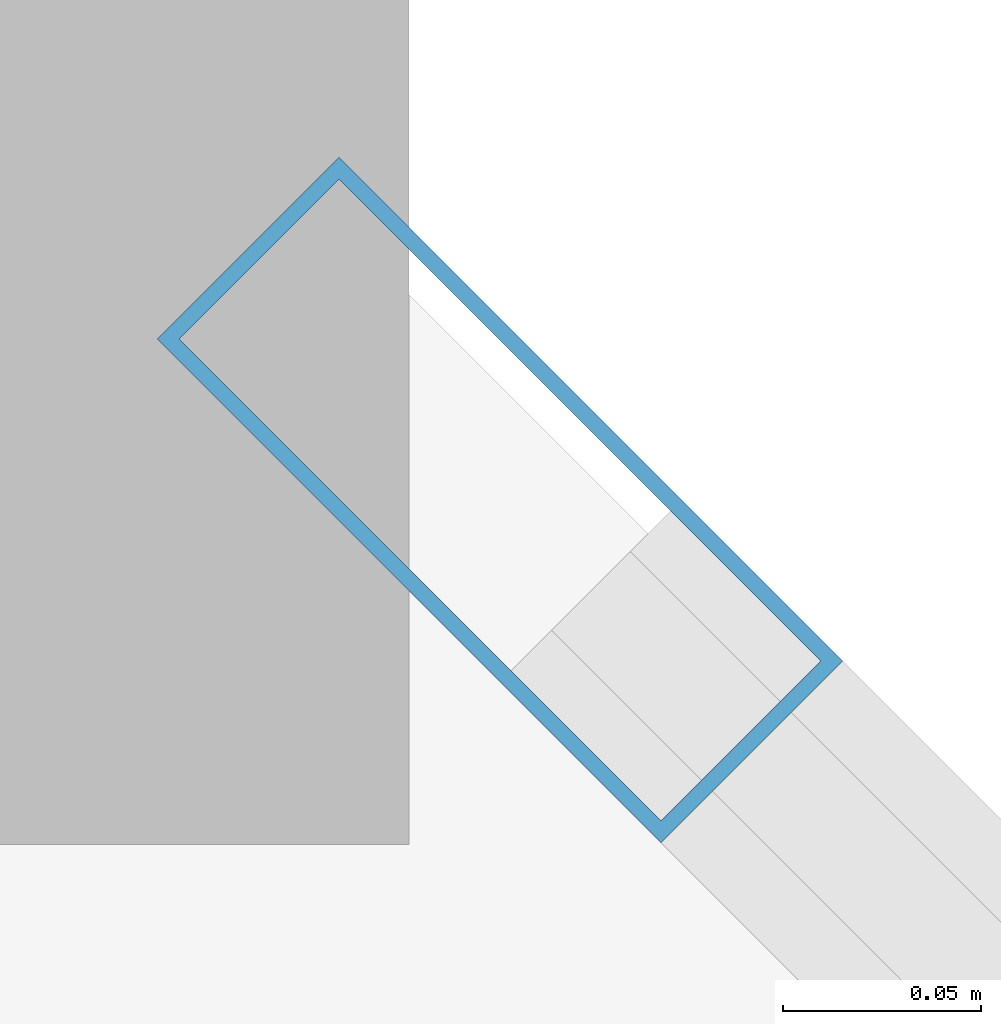
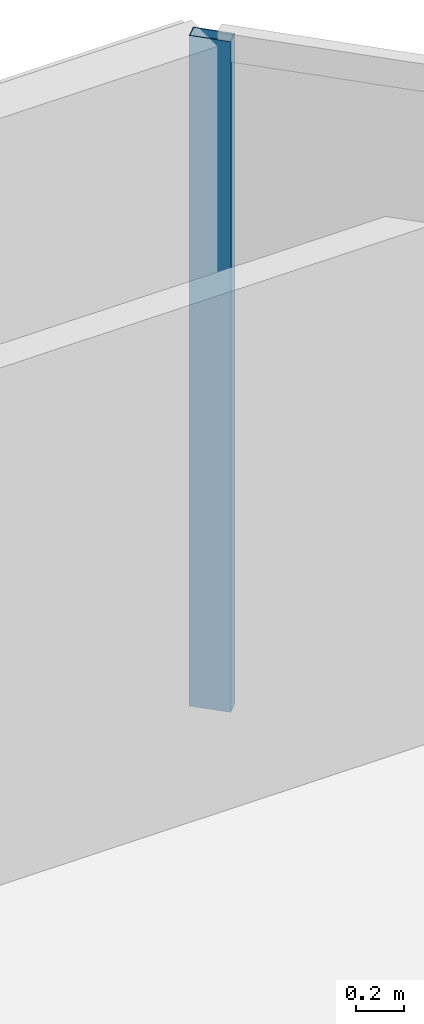
# One storey, part 21 of 28: 1 member, 1 element without a shape of its own.
"""IFC4 building model written with IfcOpenShell, lengths in metres."""

from ifc_helpers import new_model, si_unit, direction, frame, origin, origin_2d, place, context, subcontext, project, spatial, hollow_rectangle, extrude, material, layer, layer_set, material_profile, profile_set, type_object, element, aggregate, save


model = new_model("IFC4")

# Units and contexts
model_context = context("Model", 3, precision=1e-05, world=origin(), true_north=direction((0.0, 1.0)))
body_context = subcontext(model_context, "Body", "Model", "MODEL_VIEW")
ifc_project = project(units=[si_unit("LENGTHUNIT", "METRE"), si_unit("AREAUNIT", "SQUARE_METRE"), si_unit("VOLUMEUNIT", "CUBIC_METRE"), si_unit("PLANEANGLEUNIT", "RADIAN"), si_unit("MASSUNIT", "GRAM", prefix="KILO")], contexts=[model_context])

# Site, building, storey
site_placement = place(None, origin())
site = spatial("IfcSite", under=ifc_project, at=site_placement, CompositionType="ELEMENT")
building_placement = place(site_placement, origin())
building = spatial("IfcBuilding", under=site, at=building_placement, Name="Tanjung Sevakor Pilgrim Tower", CompositionType="ELEMENT")
storey_placement = place(building_placement, frame((0.0, 0.0, 257.070068359375)))
storey = spatial("IfcBuildingStorey", under=building, at=storey_placement, Name="L72", CompositionType="ELEMENT", Elevation=257.070068359375)

# Curtain wall, member
ifc_material_1 = material(Name="Aluminium 6063-T6 and Low-E Glass", Category="aluminium")
ifc_layer = layer(ifc_material_1, 0.179931640625)
ifc_layer_set = layer_set([ifc_layer], Name="CW-SYS-CHAM")
curtain_wall_type = type_object("IfcCurtainWallType", Name="CW-SYS-CHAM", PredefinedType="NOTDEFINED", material=ifc_layer_set)
curtain_wall_placement = place(storey_placement, origin())
curtain_wall = element("IfcCurtainWall", 1, at=curtain_wall_placement, inside=storey, type_object=curtain_wall_type, Name="L72 Curtain Wall CW-CHM-L72-EAST-3", PredefinedType="NOTDEFINED")
ifc_material_2 = material(Name="Aluminium 6063-T6", Category="aluminium")
ifc_material_profile = material_profile(ifc_material_2, hollow_rectangle(XDim=0.06494140625, YDim=0.179931640625, WallThickness=0.00390625, at=origin_2d()))
ifc_profile_set = profile_set([ifc_material_profile], Name="Aluminium 6063-T6")
member_type = type_object("IfcMemberType", Name="TYPE-CWM-1", PredefinedType="MULLION", material=ifc_profile_set)
member_placement = place(storey_placement, frame((94.77734375, 54.866943359375, 0.0), z_axis=(0.0, 0.0, 1.0), x_axis=(-0.707106781187, -0.707106781187, 0.0)))
member = element("IfcMember", 2, at=member_placement, type_object=member_type, Name="CW-CHM mullion 2", PredefinedType="MULLION", context=body_context, shape_type="SweptSolid", body=[
    extrude(hollow_rectangle(XDim=0.06494140625, YDim=0.179931640625, WallThickness=0.00390625, at=origin_2d()), origin(), (0.0, 0.0, 1.0), 3.409912109375),
])
aggregate(curtain_wall, [member])

save(model, "model.ifc")
